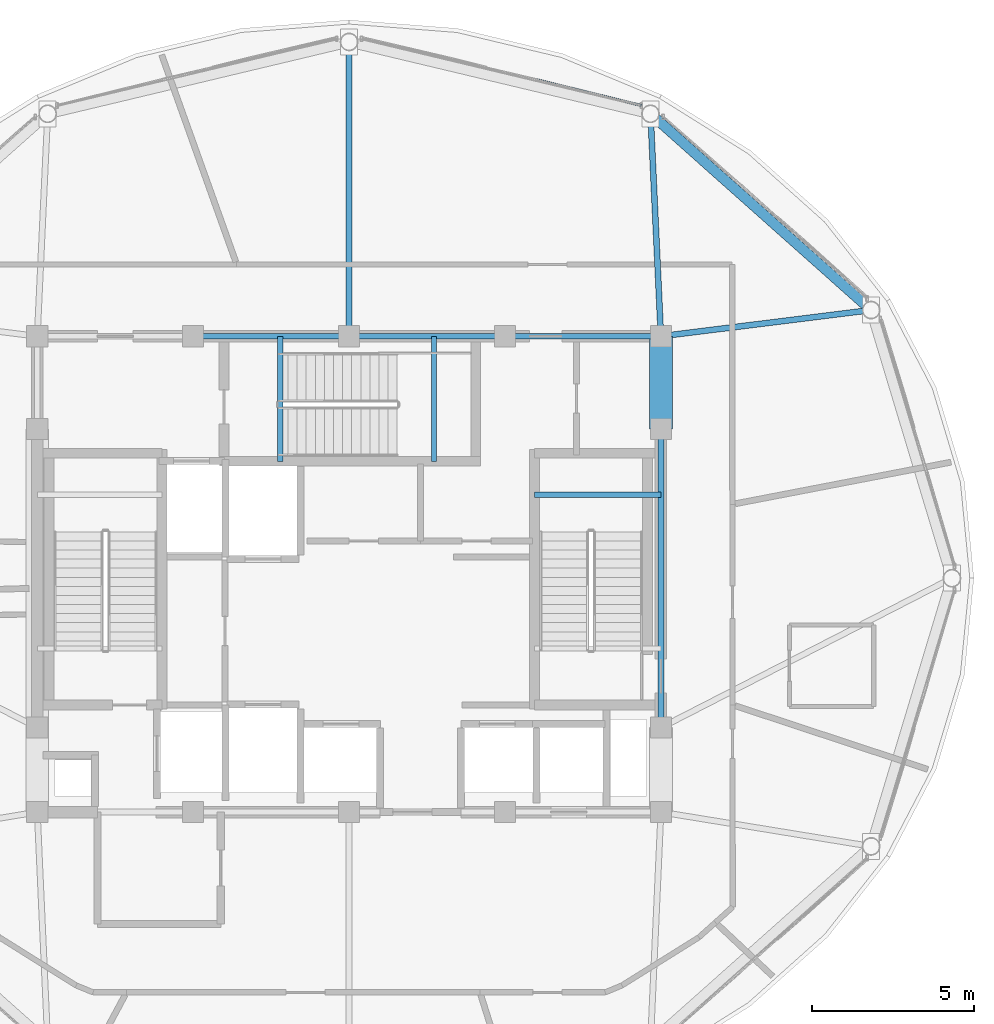
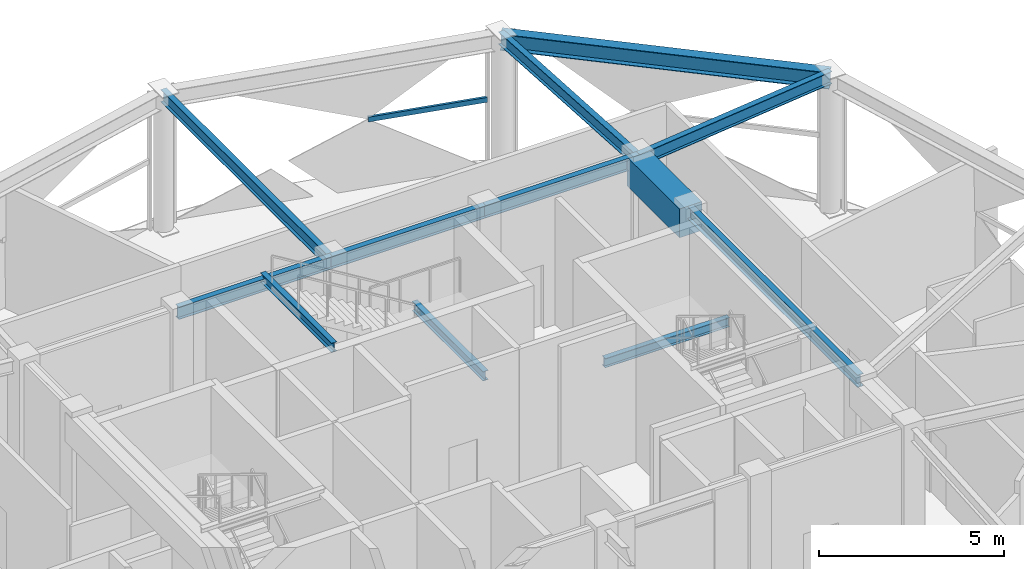
# One storey, part 10 of 22: 12 beams, 1 member, 1 element without a shape of its own.
"""IFC4 building model written with IfcOpenShell, lengths in metres."""

from ifc_helpers import new_model, si_unit, direction, frame, origin, origin_2d, place, context, subcontext, project, spatial, rectangle, hollow_rectangle, i_section, extrude, material, layer, layer_set, material_profile, profile_set, type_object, element, aggregate, save


model = new_model("IFC4")

# Units and contexts
model_context = context("Model", 3, precision=1e-05, world=origin(), true_north=direction((0.0, 1.0)))
body_context = subcontext(model_context, "Body", "Model", "MODEL_VIEW")
ifc_project = project(units=[si_unit("LENGTHUNIT", "METRE"), si_unit("AREAUNIT", "SQUARE_METRE"), si_unit("VOLUMEUNIT", "CUBIC_METRE"), si_unit("PLANEANGLEUNIT", "RADIAN"), si_unit("MASSUNIT", "GRAM", prefix="KILO")], contexts=[model_context])

# Site, building, storey
site_placement = place(None, origin())
site = spatial("IfcSite", under=ifc_project, at=site_placement, CompositionType="ELEMENT")
building_placement = place(site_placement, origin())
building = spatial("IfcBuilding", under=site, at=building_placement, Name="Vantalir Tower", CompositionType="ELEMENT")
storey_placement = place(building_placement, frame((0.0, 0.0, 294.89990234375)))
storey = spatial("IfcBuildingStorey", under=building, at=storey_placement, Name="L74", CompositionType="ELEMENT", Elevation=294.89990234375)

# Beams
ifc_material_1 = material(Name="Concrete C60/75", Category="concrete")
ifc_material_profile_1 = material_profile(ifc_material_1, rectangle(XDim=0.699951171875, YDim=0.949951171875, at=origin_2d()), Name="Concrete C60/75")
ifc_profile_set_1 = profile_set([ifc_material_profile_1], Name="Concrete C60/75")
beam_type_1 = type_object("IfcBeamType", Name="BM-CB-700x950", PredefinedType="USERDEFINED", material=ifc_profile_set_1)
beam_1_placement = place(storey_placement, frame((41.10009765625, 29.60009765625, 4.14501953125), z_axis=(0.0, 1.0, 0.0), x_axis=(-1.0, 0.0, 0.0)))
element("IfcBeam", 1, at=beam_1_placement, inside=storey, type_object=beam_type_1, Name="L74 Core Coupling Girder 07", ObjectType="GIRDER", PredefinedType="USERDEFINED", context=body_context, shape_type="SweptSolid", body=[
    extrude(rectangle(XDim=0.699951171875, YDim=0.949951171875, at=origin_2d()), origin(), (0.0, 0.0, 1.0), 2.849853515625),
])
ifc_material_2 = material(Name="Steel S355", Category="steel")
ifc_material_profile_2 = material_profile(ifc_material_2, i_section(OverallWidth=0.166015625, OverallDepth=0.306884765625, WebThickness=0.006591796875, FlangeThickness=0.01171875, at=origin_2d()), Name="Steel S355")
ifc_profile_set_2 = profile_set([ifc_material_profile_2], Name="Steel S355")
beam_type_2 = type_object("IfcBeamType", Name="BM-JS-305x165", PredefinedType="JOIST", material=ifc_profile_set_2)
beam_2_placement = place(storey_placement, frame((37.2099609375, 27.56494140625, 2.046142578125), z_axis=(1.0, 0.0, 0.0), x_axis=(0.0, 1.0, 0.0)))
element("IfcBeam", 2, at=beam_2_placement, inside=storey, type_object=beam_type_2, Name="L74 Stair ST2 Half-Landing Support Beam", PredefinedType="JOIST", context=body_context, shape_type="SweptSolid", body=[
    extrude(i_section(OverallWidth=0.166015625, OverallDepth=0.306884765625, WebThickness=0.006591796875, FlangeThickness=0.01171875, at=origin_2d()), origin(), (0.0, 0.0, 1.0), 3.89013671875),
])
for number, where, z_axis, x_axis, name in (
    (3, (29.385009765625, 28.60009765625, 4.64599609375), (0.0, 1.0, 0.0), (-1.0, 0.0, 0.0), "L75 Stair ST3 Well Nosing Trimmer Beam"),
    (4, (34.114990234375, 28.60009765625, 2.046142578125), (0.0, 1.0, 0.0), (-1.0, 0.0, 0.0), "L74 Stair ST3 Half-Landing Support Beam"),
):
    element("IfcBeam", number, at=place(storey_placement, frame(where, z_axis=z_axis, x_axis=x_axis)), inside=storey, type_object=beam_type_2, Name=name, PredefinedType="JOIST", context=body_context, shape_type="SweptSolid", body=[
        extrude(i_section(OverallWidth=0.166015625, OverallDepth=0.306884765625, WebThickness=0.006591796875, FlangeThickness=0.01171875, at=origin_2d()), origin(), (0.0, 0.0, 1.0), 3.849853515625),
    ])
ifc_material_profile_3 = material_profile(ifc_material_2, i_section(OverallWidth=0.179931640625, OverallDepth=0.4130859375, WebThickness=0.009521484375, FlangeThickness=0.01611328125, at=origin_2d()), Name="Steel S355")
ifc_profile_set_3 = profile_set([ifc_material_profile_3], Name="Steel S355")
beam_type_3 = type_object("IfcBeamType", Name="BM-RB-406x178", PredefinedType="BEAM", material=ifc_profile_set_3)
beam_3_placement = place(storey_placement, frame((41.10009765625, 20.39990234375, 4.4140625), z_axis=(0.0, 1.0, 0.0), x_axis=(-1.0, 0.0, 0.0)))
element("IfcBeam", 5, at=beam_3_placement, inside=storey, type_object=beam_type_3, Name="L74 Core Coupling Girder 06", PredefinedType="BEAM", context=body_context, shape_type="SweptSolid", body=[
    extrude(i_section(OverallWidth=0.179931640625, OverallDepth=0.4130859375, WebThickness=0.009521484375, FlangeThickness=0.01611328125, at=origin_2d()), origin(), (0.0, 0.0, 1.0), 9.2001953125),
])
for number, where, z_axis, x_axis, name in (
    (6, (41.10009765625, 32.449951171875, 4.4140625), (-1.0, 0.0, 0.0), (0.0, -1.0, 0.0), "L74 Core Coupling Girder 08"),
    (7, (36.300048828125, 32.449951171875, 4.4140625), (-1.0, 0.0, 0.0), (0.0, -1.0, 0.0), "L74 Core Coupling Girder 09"),
    (8, (31.5, 32.449951171875, 4.4140625), (-1.0, 0.0, 0.0), (0.0, -1.0, 0.0), "L74 Core Coupling Girder 10"),
):
    element("IfcBeam", number, at=place(storey_placement, frame(where, z_axis=z_axis, x_axis=x_axis)), inside=storey, type_object=beam_type_3, Name=name, PredefinedType="BEAM", context=body_context, shape_type="SweptSolid", body=[
        extrude(i_section(OverallWidth=0.179931640625, OverallDepth=0.4130859375, WebThickness=0.009521484375, FlangeThickness=0.01611328125, at=origin_2d()), origin(), (0.0, 0.0, 1.0), 4.800048828125),
    ])
beam_4_placement = place(storey_placement, frame((47.572998046875, 33.256103515625, 4.4140625), z_axis=(-0.992333630483, -0.123587886993, 0.0), x_axis=(0.123587886993, -0.992333630483, 0.0)))
element("IfcBeam", 9, at=beam_4_placement, inside=storey, type_object=beam_type_3, Name="L74 Radial Floor Beam 02", PredefinedType="BEAM", context=body_context, shape_type="SweptSolid", body=[
    extrude(i_section(OverallWidth=0.179931640625, OverallDepth=0.4130859375, WebThickness=0.009521484375, FlangeThickness=0.01611328125, at=origin_2d()), origin(), (0.0, 0.0, 1.0), 6.52294921875),
])
beam_5_placement = place(storey_placement, frame((40.780029296875, 39.300048828125, 4.4140625), z_axis=(0.04667372074, -0.998910188051, 0.0), x_axis=(0.998910188051, 0.04667372074, 0.0)))
element("IfcBeam", 10, at=beam_5_placement, inside=storey, type_object=beam_type_3, Name="L74 Radial Floor Beam 03", PredefinedType="BEAM", context=body_context, shape_type="SweptSolid", body=[
    extrude(i_section(OverallWidth=0.179931640625, OverallDepth=0.4130859375, WebThickness=0.009521484375, FlangeThickness=0.01611328125, at=origin_2d()), origin(), (0.0, 0.0, 1.0), 6.857666015625),
])
beam_6_placement = place(storey_placement, frame((31.5, 41.511962890625, 4.4140625), z_axis=(0.0, -1.0, 0.0), x_axis=(1.0, 0.0, 0.0)))
element("IfcBeam", 11, at=beam_6_placement, inside=storey, type_object=beam_type_3, Name="L74 Radial Floor Beam 04", PredefinedType="BEAM", context=body_context, shape_type="SweptSolid", body=[
    extrude(i_section(OverallWidth=0.179931640625, OverallDepth=0.4130859375, WebThickness=0.009521484375, FlangeThickness=0.01611328125, at=origin_2d()), origin(), (0.0, 0.0, 1.0), 9.06201171875),
])
ifc_material_3 = material(Name="Steel S460", Category="steel")
ifc_material_profile_4 = material_profile(ifc_material_3, i_section(OverallWidth=0.31201171875, OverallDepth=0.5419921875, WebThickness=0.0126953125, FlangeThickness=0.020263671875, at=origin_2d()), Name="Steel S460")
ifc_profile_set_4 = profile_set([ifc_material_profile_4], Name="Steel S460")
beam_type_4 = type_object("IfcBeamType", Name="BM-RG-533x312", PredefinedType="USERDEFINED", material=ifc_profile_set_4)
beam_7_placement = place(storey_placement, frame((47.572998046875, 33.256103515625, 4.34912109375), z_axis=(-0.747095174026, 0.664717083388, 0.0), x_axis=(-0.664717083388, -0.747095174026, 0.0)))
element("IfcBeam", 12, at=beam_7_placement, inside=storey, type_object=beam_type_4, Name="L74 Circumferential Ring Girder 02", ObjectType="GIRDER", PredefinedType="USERDEFINED", context=body_context, shape_type="SweptSolid", body=[
    extrude(i_section(OverallWidth=0.31201171875, OverallDepth=0.5419921875, WebThickness=0.0126953125, FlangeThickness=0.020263671875, at=origin_2d()), origin(), (0.0, 0.0, 1.0), 9.092529296875),
])

# Curtain wall, member
ifc_material_4 = material(Name="Champagne-silver PVDF aluminium and double-silver Low-E glass", Category="aluminium")
ifc_layer = layer(ifc_material_4, 0.219970703125)
ifc_layer_set = layer_set([ifc_layer], Name="Champagne-silver PVDF aluminium and double-silver Low-E glass")
curtain_wall_type = type_object("IfcCurtainWallType", Name="CW-DIAMOND-Z4", PredefinedType="USERDEFINED", material=ifc_layer_set)
curtain_wall_placement = place(storey_placement, origin())
curtain_wall = element("IfcCurtainWall", 13, at=curtain_wall_placement, inside=storey, type_object=curtain_wall_type, Name="L74 Quilted Pyramid-Diamond Curtain Wall S03", ObjectType="UNITISED CURTAIN WALL", PredefinedType="USERDEFINED")
ifc_material_5 = material(Name="Champagne-silver PVDF aluminium 6063-T6", Category="aluminium")
ifc_material_profile_5 = material_profile(ifc_material_5, hollow_rectangle(XDim=0.074951171875, YDim=0.159912109375, WallThickness=0.00390625, at=origin_2d()), Name="Champagne-silver PVDF aluminium 6063-T6")
ifc_profile_set_5 = profile_set([ifc_material_profile_5], Name="Champagne-silver PVDF aluminium 6063-T6")
member_type = type_object("IfcMemberType", Name="CWT-160x75", PredefinedType="USERDEFINED", material=ifc_profile_set_5)
member_placement = place(storey_placement, frame((40.49609375, 39.554931640625, 2.31005859375), z_axis=(-0.971015656431, 0.239015888521, 0.0), x_axis=(-0.239015888521, -0.971015656431, 0.0)))
member = element("IfcMember", 14, at=member_placement, type_object=member_type, Name="CW-L74-S03 Pyramid Fold Ridge Transom", ObjectType="TRANSOM", PredefinedType="USERDEFINED", context=body_context, shape_type="SweptSolid", body=[
    extrude(hollow_rectangle(XDim=0.074951171875, YDim=0.159912109375, WallThickness=0.00390625, at=origin_2d()), origin(), (0.0, 0.0, 1.0), 3.363525390625),
])
aggregate(curtain_wall, [member])

save(model, "model.ifc")
